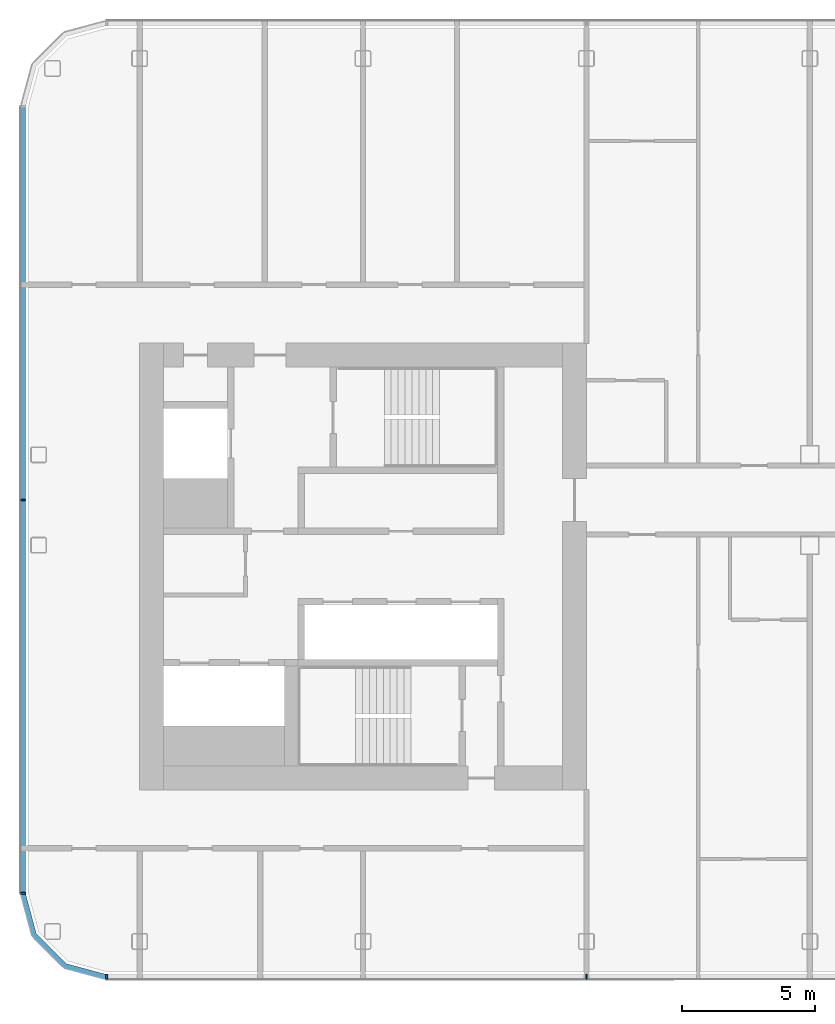
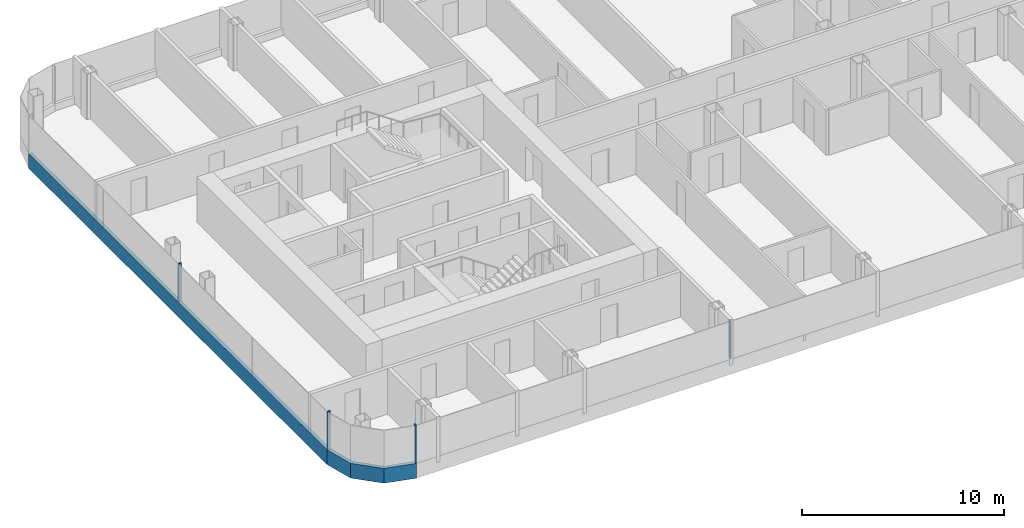
# One storey, part 2 of 26: 6 members, 3 elements without a shape of their own.
"""IFC4 building model written with IfcOpenShell, lengths in metres."""

from ifc_helpers import new_model, si_unit, direction, frame, origin, origin_2d, place, context, subcontext, project, spatial, polyline, rectangle, outline, extrude, material, layer, layer_set, material_profile, profile_set, type_object, element, aggregate, save


model = new_model("IFC4")

# Units and contexts
model_context = context("Model", 3, precision=1e-05, world=origin(), true_north=direction((0.0, 1.0)))
body_context = subcontext(model_context, "Body", "Model", "MODEL_VIEW")
ifc_project = project(units=[si_unit("LENGTHUNIT", "METRE"), si_unit("AREAUNIT", "SQUARE_METRE"), si_unit("VOLUMEUNIT", "CUBIC_METRE"), si_unit("PLANEANGLEUNIT", "RADIAN"), si_unit("MASSUNIT", "GRAM", prefix="KILO")], contexts=[model_context])

# Site, building, storey
site_placement = place(None, origin())
site = spatial("IfcSite", under=ifc_project, at=site_placement, CompositionType="ELEMENT")
building_placement = place(site_placement, origin())
building = spatial("IfcBuilding", under=site, at=building_placement, Name="Hakoniwa Tower and Hamabe Station Hall", CompositionType="ELEMENT")
storey_placement = place(building_placement, frame((0.0, 0.0, 199.39990234375)))
storey = spatial("IfcBuildingStorey", under=building, at=storey_placement, Name="L56", CompositionType="ELEMENT", Elevation=199.39990234375)

# Curtain wall, member
ifc_material_1 = material(Name="Dark low-e laminated glass", Category="glass")
ifc_layer = layer(ifc_material_1, 0.199951171875)
ifc_layer_set = layer_set([ifc_layer], Name="CW-1 UNITISED GUEST")
curtain_wall_type = type_object("IfcCurtainWallType", Name="CW-1 UNITISED GUEST", PredefinedType="NOTDEFINED", material=ifc_layer_set)
curtain_wall_1_placement = place(storey_placement, origin())
curtain_wall_1 = element("IfcCurtainWall", 1, at=curtain_wall_1_placement, inside=storey, type_object=curtain_wall_type, Name="CW-1 curtain wall", PredefinedType="NOTDEFINED")
ifc_material_2 = material(Name="Aluminium 6063-T5 black anodised", Category="aluminium")
ifc_material_profile_1 = material_profile(ifc_material_2, rectangle(XDim=0.199951171875, YDim=0.89990234375, at=origin_2d()), Name="CW SLAB-EDGE BAND 900X200")
ifc_profile_set_1 = profile_set([ifc_material_profile_1], Name="Aluminium 6063-T5 black anodised")
member_type_1 = type_object("IfcMemberType", Name="CW SLAB-EDGE BAND 900X200", PredefinedType="USERDEFINED", material=ifc_profile_set_1)
member_1_placement = place(storey_placement, frame((-38.0, 17.28955078125, -0.099853515625), z_axis=(0.0, -1.0, 0.0), x_axis=(1.0, 0.0, 0.0)))
member_1 = element("IfcMember", 2, at=member_1_placement, type_object=member_type_1, Name="CW-1 transom", ObjectType="TRANSOM", PredefinedType="USERDEFINED", context=body_context, shape_type="SweptSolid", body=[
    extrude(rectangle(XDim=0.199951171875, YDim=0.89990234375, at=origin_2d()), origin(), (0.0, 0.0, 1.0), 29.5791015625),
])

curtain_wall_2_placement = place(storey_placement, origin())
curtain_wall_2 = element("IfcCurtainWall", 3, at=curtain_wall_2_placement, inside=storey, type_object=curtain_wall_type, Name="CW-1 curtain wall", PredefinedType="NOTDEFINED")
member_2_placement = place(storey_placement, frame((0.0, 0.0, -0.5498046875)))
member_2 = element("IfcMember", 4, at=member_2_placement, type_object=member_type_1, Name="CW-1 transom", ObjectType="TRANSOM", PredefinedType="USERDEFINED", context=body_context, shape_type="SweptSolid", body=[
    extrude(outline(polyline([(-38.10009765625, -12.28955078125), (-37.6669921875, -13.9052734375), (-36.455322265625, -15.116943359375), (-34.839599609375, -15.550048828125), (-34.787841796875, -15.35693359375), (-36.351806640625, -14.937744140625), (-37.48779296875, -13.8017578125), (-37.90673828125, -12.23779296875), (-38.10009765625, -12.28955078125)])), origin(), (0.0, 0.0, 1.0), 0.89990234375),
])
aggregate(curtain_wall_2, [member_2])

# Member
ifc_material_3 = material(Name="Aluminium 6063-T5 black anodised", Category="aluminium")
ifc_material_profile_2 = material_profile(ifc_material_3, rectangle(XDim=0.06005859375, YDim=0.179931640625, at=origin_2d()), Name="CW-1 MULLION 60X180")
ifc_profile_set_2 = profile_set([ifc_material_profile_2], Name="Aluminium 6063-T5 black anodised")
member_type_2 = type_object("IfcMemberType", Name="CW-1 MULLION 60X180", PredefinedType="MULLION", material=ifc_profile_set_2)
member_3_placement = place(storey_placement, frame((-37.98193359375, 2.5, 0.35009765625), z_axis=(0.0, 0.0, 1.0), x_axis=(0.0, -1.0, 0.0)))
member_3 = element("IfcMember", 5, at=member_3_placement, type_object=member_type_2, Name="CW-1 mullion", PredefinedType="MULLION", context=body_context, shape_type="SweptSolid", body=[
    extrude(rectangle(XDim=0.06005859375, YDim=0.179931640625, at=origin_2d()), origin(), (0.0, 0.0, 1.0), 2.300048828125),
])

member_4_placement = place(storey_placement, frame((-37.98193359375, -12.28955078125, 0.35009765625), z_axis=(0.0, 0.0, 1.0), x_axis=(0.0, -1.0, 0.0)))
member_4 = element("IfcMember", 6, at=member_4_placement, type_object=member_type_2, Name="CW-1 mullion", PredefinedType="MULLION", context=body_context, shape_type="SweptSolid", body=[
    extrude(rectangle(XDim=0.06005859375, YDim=0.179931640625, at=origin_2d()), origin(), (0.0, 0.0, 1.0), 2.300048828125),
])

aggregate(curtain_wall_1, [member_3, member_4, member_1])

# Curtain wall, members
curtain_wall_3_placement = place(storey_placement, origin())
curtain_wall_3 = element("IfcCurtainWall", 7, at=curtain_wall_3_placement, inside=storey, type_object=curtain_wall_type, Name="CW-1 curtain wall", PredefinedType="NOTDEFINED")
member_5_placement = place(storey_placement, frame((-34.839599609375, -15.431884765625, 0.35009765625), z_axis=(0.0, 0.0, 1.0), x_axis=(1.0, 0.0, 0.0)))
member_5 = element("IfcMember", 8, at=member_5_placement, type_object=member_type_2, Name="CW-1 mullion", PredefinedType="MULLION", context=body_context, shape_type="SweptSolid", body=[
    extrude(rectangle(XDim=0.06005859375, YDim=0.179931640625, at=origin_2d()), origin(), (0.0, 0.0, 1.0), 2.300048828125),
])
member_6_placement = place(storey_placement, frame((-16.800048828125, -15.431884765625, 0.35009765625), z_axis=(0.0, 0.0, 1.0), x_axis=(1.0, 0.0, 0.0)))
member_6 = element("IfcMember", 9, at=member_6_placement, type_object=member_type_2, Name="CW-1 mullion", PredefinedType="MULLION", context=body_context, shape_type="SweptSolid", body=[
    extrude(rectangle(XDim=0.06005859375, YDim=0.179931640625, at=origin_2d()), origin(), (0.0, 0.0, 1.0), 2.300048828125),
])
aggregate(curtain_wall_3, [member_5, member_6])

save(model, "model.ifc")
